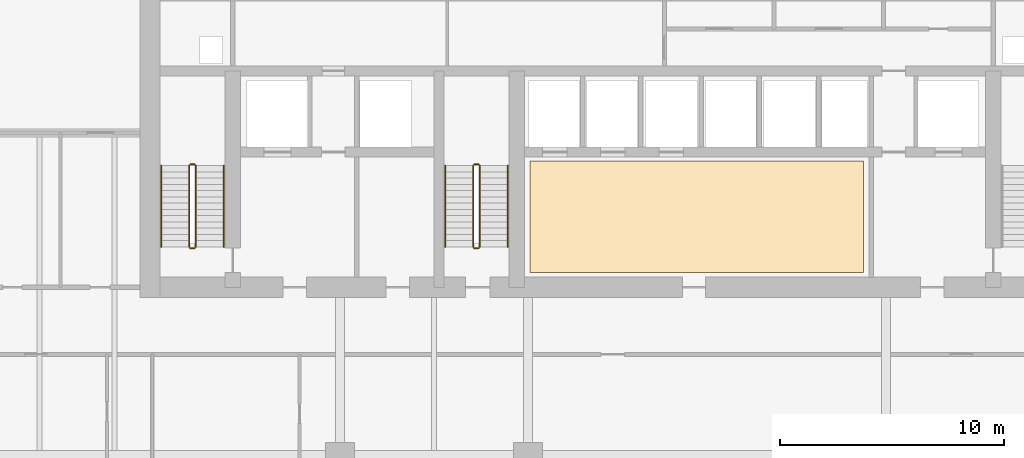
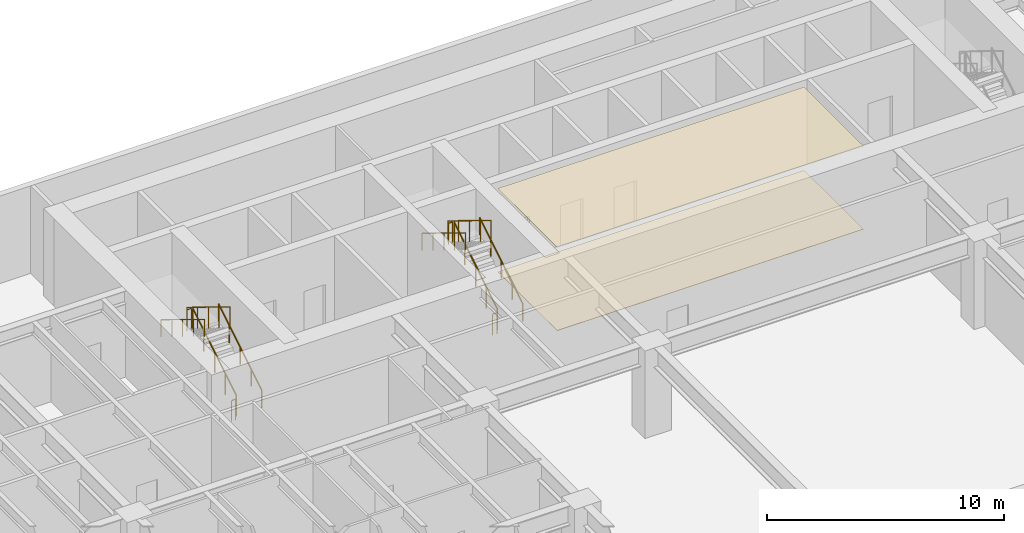
# One storey, part 16 of 17: 12 railings, 2 coverings.
"""IFC4 building model written with IfcOpenShell, lengths in metres."""

from ifc_helpers import new_model, si_unit, direction, frame, origin, origin_2d, place, context, subcontext, project, spatial, polyline, circle, outline, extrude, material, layer, layer_set, type_object, element, save


model = new_model("IFC4")

# Units and contexts
model_context = context("Model", 3, precision=1e-05, world=origin(), true_north=direction((0.0, 1.0)))
body_context = subcontext(model_context, "Body", "Model", "MODEL_VIEW")
ifc_project = project(units=[si_unit("LENGTHUNIT", "METRE"), si_unit("AREAUNIT", "SQUARE_METRE"), si_unit("VOLUMEUNIT", "CUBIC_METRE"), si_unit("PLANEANGLEUNIT", "RADIAN"), si_unit("MASSUNIT", "GRAM", prefix="KILO")], contexts=[model_context])

# Site, building, storey
site_placement = place(None, origin())
site = spatial("IfcSite", under=ifc_project, at=site_placement, CompositionType="ELEMENT")
building_placement = place(site_placement, origin())
building = spatial("IfcBuilding", under=site, at=building_placement, Name="Caelmar Bay Residences", CompositionType="ELEMENT")
storey_placement = place(building_placement, frame((0.0, 0.0, 10.199951171875)))
storey = spatial("IfcBuildingStorey", under=building, at=storey_placement, Name="L02", CompositionType="ELEMENT", Elevation=10.199951171875)

# Coverings
ifc_material_1 = material(Name="Perforated acoustic gypsum-mineral ceiling tile 20 mm")
ifc_layer_1 = layer(ifc_material_1, 0.02001953125)
ifc_layer_set_1 = layer_set([ifc_layer_1], Name="Perforated acoustic gypsum-mineral ceiling tile 20 mm")
covering_type_1 = type_object("IfcCoveringType", Name="COV-CEIL-20", PredefinedType="CEILING", material=ifc_layer_set_1)
covering_1_placement = place(storey_placement, frame((0.0, 0.0, 4.280029296875)))
element("IfcCovering", 1, at=covering_1_placement, inside=storey, type_object=covering_type_1, Name="L02 Lift Lobby Acoustic Ceiling", PredefinedType="CEILING", context=body_context, shape_type="SweptSolid", body=[
    extrude(outline(polyline([(35.199951171875, 37.550048828125), (50.10009765625, 37.550048828125), (50.10009765625, 42.550048828125), (35.199951171875, 42.550048828125), (35.199951171875, 37.550048828125)])), origin(), (0.0, 0.0, 1.0), 0.02001953125),
])
ifc_material_2 = material(Name="Honed terrazzo and engineered white-oak flooring 20 mm")
ifc_layer_2 = layer(ifc_material_2, 0.02001953125)
ifc_layer_set_2 = layer_set([ifc_layer_2], Name="Honed terrazzo and engineered white-oak flooring 20 mm")
covering_type_2 = type_object("IfcCoveringType", Name="COV-FLR-20", PredefinedType="FLOORING", material=ifc_layer_set_2)
covering_2_placement = place(storey_placement, origin())
element("IfcCovering", 2, at=covering_2_placement, inside=storey, type_object=covering_type_2, Name="L02 Lift Lobby Terrazzo Flooring", PredefinedType="FLOORING", context=body_context, shape_type="SweptSolid", body=[
    extrude(outline(polyline([(35.199951171875, 37.550048828125), (50.10009765625, 37.550048828125), (50.10009765625, 42.550048828125), (35.199951171875, 42.550048828125), (35.199951171875, 37.550048828125)])), origin(), (0.0, 0.0, 1.0), 0.02001953125),
])

# Railings
ifc_material_3 = material(Name="Painted galvanized steel stair guard 1100 mm", Category="steel")
railing_type_1 = type_object("IfcRailingType", Name="RL-GRD-1100", PredefinedType="GUARDRAIL", material=ifc_material_3)
railing_1_placement = place(storey_placement, frame((20.25, 38.699951171875, 0.17138671875)))
element("IfcRailing", 3, at=railing_1_placement, inside=storey, type_object=railing_type_1, Name="L02 ST1 stair guard 1", PredefinedType="GUARDRAIL", context=body_context, shape_type="SweptSolid", body=[
    extrude(circle(Radius=0.02392578125, at=origin_2d()), frame((0.0, 0.0, 1.076171875), z_axis=(0.0, 0.852840387347, 0.522171689878), x_axis=(-1.0, 0.0, 0.0)), (0.0, 0.0, 1.0), 4.268310546875),
    extrude(circle(Radius=0.02099609375, at=origin_2d()), origin(), (0.0, 0.0, 1.0), 1.052001953125),
    extrude(circle(Radius=0.02099609375, at=origin_2d()), frame((0.0, 0.91015625, 0.55712890625)), (0.0, 0.0, 1.0), 1.052001953125),
    extrude(circle(Radius=0.02099609375, at=origin_2d()), frame((0.0, 1.820068359375, 1.1142578125)), (0.0, 0.0, 1.0), 1.052001953125),
    extrude(circle(Radius=0.02099609375, at=origin_2d()), frame((0.0, 2.72998046875, 1.671630859375)), (0.0, 0.0, 1.0), 1.052001953125),
    extrude(circle(Radius=0.02099609375, at=origin_2d()), frame((0.0, 3.64013671875, 2.228759765625)), (0.0, 0.0, 1.0), 1.052001953125),
])
railing_2_placement = place(storey_placement, frame((20.199951171875, 42.389892578125, 2.400146484375)))
element("IfcRailing", 4, at=railing_2_placement, inside=storey, type_object=railing_type_1, Name="L02 ST1 stair guard 2", PredefinedType="GUARDRAIL", context=body_context, shape_type="SweptSolid", body=[
    extrude(circle(Radius=0.02392578125, at=origin_2d()), frame((0.0, 0.0, 1.076171875), z_axis=(-1.0, 0.0, 0.0), x_axis=(0.0, -1.0, 0.0)), (0.0, 0.0, 1.0), 0.199951171875),
    extrude(circle(Radius=0.02099609375, at=origin_2d()), origin(), (0.0, 0.0, 1.0), 1.052001953125),
    extrude(circle(Radius=0.02099609375, at=origin_2d()), frame((-0.199951171875, 0.0, 0.0)), (0.0, 0.0, 1.0), 1.052001953125),
])
railing_3_placement = place(storey_placement, frame((19.949951171875, 42.340087890625, 2.571533203125)))
element("IfcRailing", 5, at=railing_3_placement, inside=storey, type_object=railing_type_1, Name="L02 ST1 stair guard 3", PredefinedType="GUARDRAIL", context=body_context, shape_type="SweptSolid", body=[
    extrude(circle(Radius=0.02392578125, at=origin_2d()), frame((0.0, 0.0, 1.076171875), z_axis=(0.0, -0.852865859571, 0.52213008492), x_axis=(1.0, 0.0, 0.0)), (0.0, 0.0, 1.0), 4.26806640625),
    extrude(circle(Radius=0.02099609375, at=origin_2d()), origin(), (0.0, 0.0, 1.0), 1.052001953125),
    extrude(circle(Radius=0.02099609375, at=origin_2d()), frame((0.0, -0.91015625, 0.55712890625)), (0.0, 0.0, 1.0), 1.052001953125),
    extrude(circle(Radius=0.02099609375, at=origin_2d()), frame((0.0, -1.820068359375, 1.1142578125)), (0.0, 0.0, 1.0), 1.052001953125),
    extrude(circle(Radius=0.02099609375, at=origin_2d()), frame((0.0, -2.72998046875, 1.67138671875)), (0.0, 0.0, 1.0), 1.052001953125),
    extrude(circle(Radius=0.02099609375, at=origin_2d()), frame((0.0, -3.64013671875, 2.228515625)), (0.0, 0.0, 1.0), 1.052001953125),
])
railing_4_placement = place(storey_placement, frame((20.199951171875, 38.64990234375, 0.0)))
element("IfcRailing", 6, at=railing_4_placement, inside=storey, type_object=railing_type_1, Name="L02 ST1 stair guard 4", PredefinedType="GUARDRAIL", context=body_context, shape_type="SweptSolid", body=[
    extrude(circle(Radius=0.02392578125, at=origin_2d()), frame((0.0, 0.0, 1.076171875), z_axis=(-1.0, 0.0, 0.0), x_axis=(0.0, -1.0, 0.0)), (0.0, 0.0, 1.0), 0.199951171875),
    extrude(circle(Radius=0.02099609375, at=origin_2d()), origin(), (0.0, 0.0, 1.0), 1.052001953125),
    extrude(circle(Radius=0.02099609375, at=origin_2d()), frame((-0.199951171875, 0.0, 0.0)), (0.0, 0.0, 1.0), 1.052001953125),
])
railing_5_placement = place(storey_placement, frame((32.949951171875, 38.699951171875, 0.17138671875)))
element("IfcRailing", 7, at=railing_5_placement, inside=storey, type_object=railing_type_1, Name="L02 ST3 stair guard 1", PredefinedType="GUARDRAIL", context=body_context, shape_type="SweptSolid", body=[
    extrude(circle(Radius=0.02392578125, at=origin_2d()), frame((0.0, 0.0, 1.076171875), z_axis=(0.0, 0.852840387347, 0.522171689878), x_axis=(-1.0, 0.0, 0.0)), (0.0, 0.0, 1.0), 4.268310546875),
    extrude(circle(Radius=0.02099609375, at=origin_2d()), origin(), (0.0, 0.0, 1.0), 1.052001953125),
    extrude(circle(Radius=0.02099609375, at=origin_2d()), frame((0.0, 0.91015625, 0.55712890625)), (0.0, 0.0, 1.0), 1.052001953125),
    extrude(circle(Radius=0.02099609375, at=origin_2d()), frame((0.0, 1.820068359375, 1.1142578125)), (0.0, 0.0, 1.0), 1.052001953125),
    extrude(circle(Radius=0.02099609375, at=origin_2d()), frame((0.0, 2.72998046875, 1.671630859375)), (0.0, 0.0, 1.0), 1.052001953125),
    extrude(circle(Radius=0.02099609375, at=origin_2d()), frame((0.0, 3.64013671875, 2.228759765625)), (0.0, 0.0, 1.0), 1.052001953125),
])
railing_6_placement = place(storey_placement, frame((32.89990234375, 42.389892578125, 2.400146484375)))
element("IfcRailing", 8, at=railing_6_placement, inside=storey, type_object=railing_type_1, Name="L02 ST3 stair guard 2", PredefinedType="GUARDRAIL", context=body_context, shape_type="SweptSolid", body=[
    extrude(circle(Radius=0.02392578125, at=origin_2d()), frame((0.0, 0.0, 1.076171875), z_axis=(-1.0, 0.0, 0.0), x_axis=(0.0, -1.0, 0.0)), (0.0, 0.0, 1.0), 0.199951171875),
    extrude(circle(Radius=0.02099609375, at=origin_2d()), origin(), (0.0, 0.0, 1.0), 1.052001953125),
    extrude(circle(Radius=0.02099609375, at=origin_2d()), frame((-0.199951171875, 0.0, 0.0)), (0.0, 0.0, 1.0), 1.052001953125),
])
railing_7_placement = place(storey_placement, frame((32.64990234375, 42.340087890625, 2.571533203125)))
element("IfcRailing", 9, at=railing_7_placement, inside=storey, type_object=railing_type_1, Name="L02 ST3 stair guard 3", PredefinedType="GUARDRAIL", context=body_context, shape_type="SweptSolid", body=[
    extrude(circle(Radius=0.02392578125, at=origin_2d()), frame((0.0, 0.0, 1.076171875), z_axis=(0.0, -0.852865859571, 0.52213008492), x_axis=(1.0, 0.0, 0.0)), (0.0, 0.0, 1.0), 4.26806640625),
    extrude(circle(Radius=0.02099609375, at=origin_2d()), origin(), (0.0, 0.0, 1.0), 1.052001953125),
    extrude(circle(Radius=0.02099609375, at=origin_2d()), frame((0.0, -0.91015625, 0.55712890625)), (0.0, 0.0, 1.0), 1.052001953125),
    extrude(circle(Radius=0.02099609375, at=origin_2d()), frame((0.0, -1.820068359375, 1.1142578125)), (0.0, 0.0, 1.0), 1.052001953125),
    extrude(circle(Radius=0.02099609375, at=origin_2d()), frame((0.0, -2.72998046875, 1.67138671875)), (0.0, 0.0, 1.0), 1.052001953125),
    extrude(circle(Radius=0.02099609375, at=origin_2d()), frame((0.0, -3.64013671875, 2.228515625)), (0.0, 0.0, 1.0), 1.052001953125),
])
railing_8_placement = place(storey_placement, frame((32.89990234375, 38.64990234375, 0.0)))
element("IfcRailing", 10, at=railing_8_placement, inside=storey, type_object=railing_type_1, Name="L02 ST3 stair guard 4", PredefinedType="GUARDRAIL", context=body_context, shape_type="SweptSolid", body=[
    extrude(circle(Radius=0.02392578125, at=origin_2d()), frame((0.0, 0.0, 1.076171875), z_axis=(-1.0, 0.0, 0.0), x_axis=(0.0, -1.0, 0.0)), (0.0, 0.0, 1.0), 0.199951171875),
    extrude(circle(Radius=0.02099609375, at=origin_2d()), origin(), (0.0, 0.0, 1.0), 1.052001953125),
    extrude(circle(Radius=0.02099609375, at=origin_2d()), frame((-0.199951171875, 0.0, 0.0)), (0.0, 0.0, 1.0), 1.052001953125),
])
ifc_material_4 = material(Name="Brushed bronze stainless-steel tubular handrail 900 mm", Category="steel")
railing_type_2 = type_object("IfcRailingType", Name="RL-HND-900", PredefinedType="HANDRAIL", material=ifc_material_4)
railing_9_placement = place(storey_placement, frame((21.5, 38.699951171875, 0.17138671875)))
element("IfcRailing", 11, at=railing_9_placement, inside=storey, type_object=railing_type_2, Name="L02 ST1 stair handrail 1", PredefinedType="HANDRAIL", context=body_context, shape_type="SweptSolid", body=[
    extrude(circle(Radius=0.02392578125, at=origin_2d()), frame((0.0, 0.0, 0.8759765625), z_axis=(0.0, 0.852840387347, 0.522171689878), x_axis=(-1.0, 0.0, 0.0)), (0.0, 0.0, 1.0), 4.268310546875),
    extrude(circle(Radius=0.02099609375, at=origin_2d()), origin(), (0.0, 0.0, 1.0), 0.851806640625),
    extrude(circle(Radius=0.02099609375, at=origin_2d()), frame((0.0, 0.91015625, 0.55712890625)), (0.0, 0.0, 1.0), 0.851806640625),
    extrude(circle(Radius=0.02099609375, at=origin_2d()), frame((0.0, 1.820068359375, 1.1142578125)), (0.0, 0.0, 1.0), 0.851806640625),
    extrude(circle(Radius=0.02099609375, at=origin_2d()), frame((0.0, 2.72998046875, 1.671630859375)), (0.0, 0.0, 1.0), 0.851806640625),
    extrude(circle(Radius=0.02099609375, at=origin_2d()), frame((0.0, 3.64013671875, 2.228759765625)), (0.0, 0.0, 1.0), 0.851806640625),
])
railing_10_placement = place(storey_placement, frame((18.699951171875, 42.340087890625, 2.571533203125)))
element("IfcRailing", 12, at=railing_10_placement, inside=storey, type_object=railing_type_2, Name="L02 ST1 stair handrail 2", PredefinedType="HANDRAIL", context=body_context, shape_type="SweptSolid", body=[
    extrude(circle(Radius=0.02392578125, at=origin_2d()), frame((0.0, 0.0, 0.8759765625), z_axis=(0.0, -0.852865859571, 0.52213008492), x_axis=(1.0, 0.0, 0.0)), (0.0, 0.0, 1.0), 4.26806640625),
    extrude(circle(Radius=0.02099609375, at=origin_2d()), origin(), (0.0, 0.0, 1.0), 0.851806640625),
    extrude(circle(Radius=0.02099609375, at=origin_2d()), frame((0.0, -0.91015625, 0.55712890625)), (0.0, 0.0, 1.0), 0.851806640625),
    extrude(circle(Radius=0.02099609375, at=origin_2d()), frame((0.0, -1.820068359375, 1.1142578125)), (0.0, 0.0, 1.0), 0.851806640625),
    extrude(circle(Radius=0.02099609375, at=origin_2d()), frame((0.0, -2.72998046875, 1.67138671875)), (0.0, 0.0, 1.0), 0.851806640625),
    extrude(circle(Radius=0.02099609375, at=origin_2d()), frame((0.0, -3.64013671875, 2.228515625)), (0.0, 0.0, 1.0), 0.851806640625),
])
railing_11_placement = place(storey_placement, frame((34.199951171875, 38.699951171875, 0.17138671875)))
element("IfcRailing", 13, at=railing_11_placement, inside=storey, type_object=railing_type_2, Name="L02 ST3 stair handrail 1", PredefinedType="HANDRAIL", context=body_context, shape_type="SweptSolid", body=[
    extrude(circle(Radius=0.02392578125, at=origin_2d()), frame((0.0, 0.0, 0.8759765625), z_axis=(0.0, 0.852840387347, 0.522171689878), x_axis=(-1.0, 0.0, 0.0)), (0.0, 0.0, 1.0), 4.268310546875),
    extrude(circle(Radius=0.02099609375, at=origin_2d()), origin(), (0.0, 0.0, 1.0), 0.851806640625),
    extrude(circle(Radius=0.02099609375, at=origin_2d()), frame((0.0, 0.91015625, 0.55712890625)), (0.0, 0.0, 1.0), 0.851806640625),
    extrude(circle(Radius=0.02099609375, at=origin_2d()), frame((0.0, 1.820068359375, 1.1142578125)), (0.0, 0.0, 1.0), 0.851806640625),
    extrude(circle(Radius=0.02099609375, at=origin_2d()), frame((0.0, 2.72998046875, 1.671630859375)), (0.0, 0.0, 1.0), 0.851806640625),
    extrude(circle(Radius=0.02099609375, at=origin_2d()), frame((0.0, 3.64013671875, 2.228759765625)), (0.0, 0.0, 1.0), 0.851806640625),
])
railing_12_placement = place(storey_placement, frame((31.39990234375, 42.340087890625, 2.571533203125)))
element("IfcRailing", 14, at=railing_12_placement, inside=storey, type_object=railing_type_2, Name="L02 ST3 stair handrail 2", PredefinedType="HANDRAIL", context=body_context, shape_type="SweptSolid", body=[
    extrude(circle(Radius=0.02392578125, at=origin_2d()), frame((0.0, 0.0, 0.8759765625), z_axis=(0.0, -0.852865859571, 0.52213008492), x_axis=(1.0, 0.0, 0.0)), (0.0, 0.0, 1.0), 4.26806640625),
    extrude(circle(Radius=0.02099609375, at=origin_2d()), origin(), (0.0, 0.0, 1.0), 0.851806640625),
    extrude(circle(Radius=0.02099609375, at=origin_2d()), frame((0.0, -0.91015625, 0.55712890625)), (0.0, 0.0, 1.0), 0.851806640625),
    extrude(circle(Radius=0.02099609375, at=origin_2d()), frame((0.0, -1.820068359375, 1.1142578125)), (0.0, 0.0, 1.0), 0.851806640625),
    extrude(circle(Radius=0.02099609375, at=origin_2d()), frame((0.0, -2.72998046875, 1.67138671875)), (0.0, 0.0, 1.0), 0.851806640625),
    extrude(circle(Radius=0.02099609375, at=origin_2d()), frame((0.0, -3.64013671875, 2.228515625)), (0.0, 0.0, 1.0), 0.851806640625),
])

save(model, "model.ifc")
